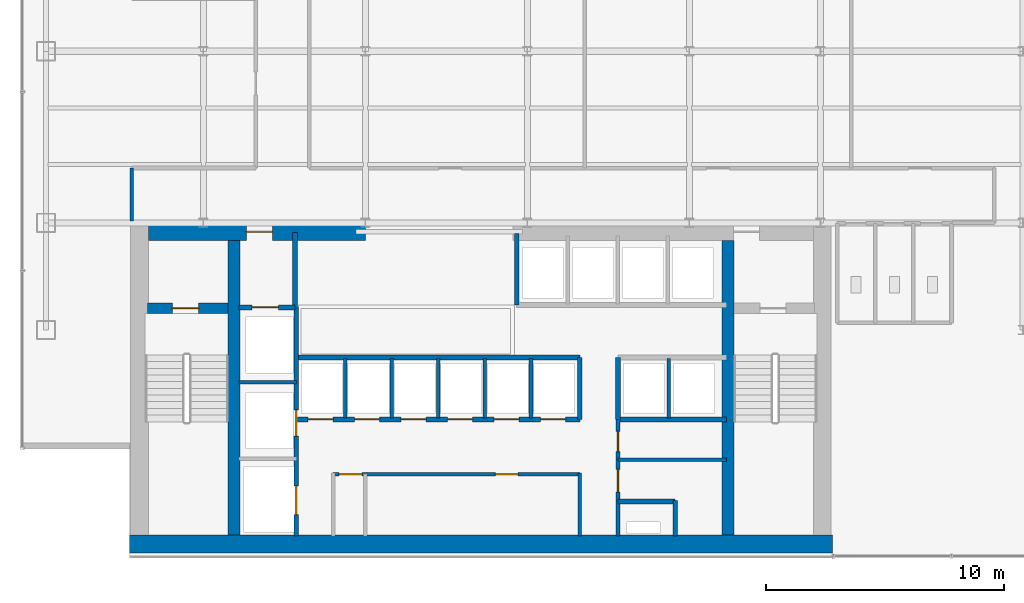
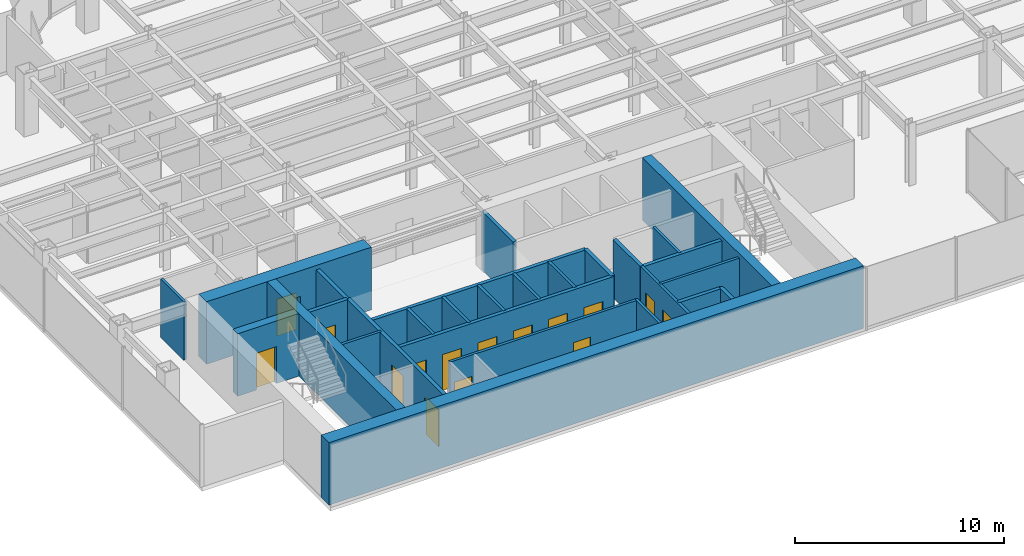
# One storey, part 20 of 25: 28 walls, 15 doors, 15 openings.
"""IFC4 building model written with IfcOpenShell, lengths in metres."""

from ifc_helpers import new_model, si_unit, derived_unit, direction, frame, frame_2d, origin, place, context, subcontext, project, spatial, rectangle, extrude, source, transform, mapped, material, layer, layer_set, type_object, element, fill, save


model = new_model("IFC4")

# Units and contexts
model_context = context("Model", 3, precision=1e-05, world=origin(), true_north=direction((0.0, 1.0)))
body_context = subcontext(model_context, "Body", "Model", "MODEL_VIEW")
ifc_project = project(units=[si_unit("LENGTHUNIT", "METRE"), si_unit("AREAUNIT", "SQUARE_METRE"), si_unit("VOLUMEUNIT", "CUBIC_METRE"), si_unit("PLANEANGLEUNIT", "RADIAN"), si_unit("MASSUNIT", "GRAM", prefix="KILO"), derived_unit("THERMALTRANSMITTANCEUNIT", [(si_unit("POWERUNIT", "WATT"), 1), (si_unit("LENGTHUNIT", "METRE"), -2), (si_unit("THERMODYNAMICTEMPERATUREUNIT", "KELVIN"), -1)])], contexts=[model_context])

# Site, building, storey
site_placement = place(None, origin())
site = spatial("IfcSite", under=ifc_project, at=site_placement, CompositionType="ELEMENT")
building_placement = place(site_placement, origin())
building = spatial("IfcBuilding", under=site, at=building_placement, Name="Skarnbrae Concourse Arena and Tower", CompositionType="ELEMENT")
storey_placement = place(building_placement, frame((0.0, 0.0, 88.64990234375)))
storey = spatial("IfcBuildingStorey", under=building, at=storey_placement, Name="L21", CompositionType="ELEMENT", Elevation=88.64990234375)

# Wall, opening, door
ifc_material_1 = material(Name="Concrete 50 MPa (C50/60)", Category="concrete")
ifc_layer_1 = layer(ifc_material_1, 0.449951171875)
ifc_layer_set_1 = layer_set([ifc_layer_1], Name="Concrete 50 MPa (C50/60)")
wall_type_1 = type_object("IfcWallType", Name="WALL-CORE-450-C50", PredefinedType="SHEAR", material=ifc_layer_set_1)
shared_shape_1 = source(origin(), body_context, "Body", "SweptSolid", [
    extrude(rectangle(XDim=3.389892578125, YDim=0.449951171875, at=frame_2d((1.69482421875, 0.0))), origin(), (0.0, 0.0, 1.0), 3.650146484375),
])
wall_1_placement = place(storey_placement, frame((5.25, 10.419921875, 0.0), z_axis=(0.0, 0.0, 1.0), x_axis=(1.0, 0.0, 0.0)))
wall_1 = element("IfcWall", 1, at=wall_1_placement, inside=storey, type_object=wall_type_1, Name="L21 Rear core shear wall CW-ST1-N", PredefinedType="SHEAR", context=body_context, shape_type="MappedRepresentation", body=[
    mapped(shared_shape_1, transform((0.0, 0.0, 0.0))),
])
opening_1_placement = place(wall_1_placement, frame((1.050048828125, 0.0, 0.0)))
opening_1 = element("IfcOpeningElement", 2, at=opening_1_placement, cuts=wall_1, Name="Opening DT-03", PredefinedType="OPENING", context=body_context, shape_type="SweptSolid", body=[
    extrude(rectangle(XDim=1.10009765625, YDim=2.14990234375, at=frame_2d((0.550048828125, 1.074951171875))), frame((0.0, 0.23486328125, 0.0), z_axis=(0.0, -1.0, 0.0), x_axis=(1.0, 0.0, 0.0)), (0.0, 0.0, 1.0), 0.469970703125),
])
ifc_material_2 = material(Name="Steel CSA G40.21 350W", Category="steel")
door_type_1 = type_object("IfcDoorType", Name="DOOR-FIRE-1100-90M", OperationType="NOTDEFINED", PredefinedType="DOOR", material=ifc_material_2)
shared_shape_2 = source(origin(), body_context, "Body", "SweptSolid", [
    extrude(rectangle(XDim=1.10009765625, YDim=2.14990234375, at=frame_2d((0.550048828125, 1.074951171875))), frame((0.0, 0.02490234375, 0.0), z_axis=(0.0, -1.0, 0.0), x_axis=(1.0, 0.0, 0.0)), (0.0, 0.0, 1.0), 0.050048828125),
])
door_1_placement = place(opening_1_placement, frame((1.10009765625, 0.0, 0.0), z_axis=(0.0, 0.0, 1.0), x_axis=(-1.0, 0.0, 0.0)))
door_1 = element("IfcDoor", 3, at=door_1_placement, inside=storey, type_object=door_type_1, Name="D-0733 Stair ST-1 Door", OperationType="SINGLE_SWING_LEFT", OverallHeight=2.14990234375, OverallWidth=1.10009765625, PredefinedType="DOOR", context=body_context, shape_type="MappedRepresentation", body=[
    mapped(shared_shape_2, transform((0.0, 0.0, 0.0))),
])
fill(opening_1, door_1)

# Wall
ifc_material_3 = material(Name="Concrete 60 MPa (C60/75)", Category="concrete")
ifc_layer_2 = layer(ifc_material_3, 0.75)
ifc_layer_set_2 = layer_set([ifc_layer_2], Name="Concrete 60 MPa (C60/75)")
wall_type_2 = type_object("IfcWallType", Name="WALL-CORE-750-C60", PredefinedType="SHEAR", material=ifc_layer_set_2)
shared_shape_3 = source(origin(), body_context, "Body", "SweptSolid", [
    extrude(rectangle(XDim=29.5, YDim=0.75, at=frame_2d((14.75, 0.0))), origin(), (0.0, 0.0, 1.0), 3.650146484375),
])
wall_2_placement = place(storey_placement, frame((4.5, 0.52490234375, 0.0), z_axis=(0.0, 0.0, 1.0), x_axis=(1.0, 0.0, 0.0)))
element("IfcWall", 4, at=wall_2_placement, inside=storey, type_object=wall_type_2, Name="L21 Rear core shear wall CW-S", PredefinedType="SHEAR", context=body_context, shape_type="MappedRepresentation", body=[
    mapped(shared_shape_3, transform((0.0, 0.0, 0.0))),
])

# Wall, opening, door
shared_shape_4 = source(origin(), body_context, "Body", "SweptSolid", [
    extrude(rectangle(XDim=9.099853515625, YDim=0.75, at=frame_2d((4.5498046875, 0.0))), origin(), (0.0, 0.0, 1.0), 3.650146484375),
])
wall_3_placement = place(storey_placement, frame((5.300048828125, 13.625, 0.0), z_axis=(0.0, 0.0, 1.0), x_axis=(1.0, 0.0, 0.0)))
wall_3 = element("IfcWall", 5, at=wall_3_placement, inside=storey, type_object=wall_type_2, Name="L21 Rear core shear wall CW-NW", PredefinedType="SHEAR", context=body_context, shape_type="MappedRepresentation", body=[
    mapped(shared_shape_4, transform((0.0, 0.0, 0.0))),
])
opening_2_placement = place(wall_3_placement, frame((4.10009765625, 0.0, 0.0)))
opening_2 = element("IfcOpeningElement", 6, at=opening_2_placement, cuts=wall_3, Name="Opening DT-03", PredefinedType="OPENING", context=body_context, shape_type="SweptSolid", body=[
    extrude(rectangle(XDim=1.10009765625, YDim=2.14990234375, at=frame_2d((0.550048828125, 1.074951171875))), frame((0.0, 0.385009765625, 0.0), z_axis=(0.0, -1.0, 0.0), x_axis=(1.0, 0.0, 0.0)), (0.0, 0.0, 1.0), 0.77001953125),
])
door_2_placement = place(opening_2_placement, origin())
door_2 = element("IfcDoor", 7, at=door_2_placement, inside=storey, type_object=door_type_1, Name="D-0735 Firefighting Lobby Exit Door", OperationType="SINGLE_SWING_RIGHT", OverallHeight=2.14990234375, OverallWidth=1.10009765625, PredefinedType="DOOR", context=body_context, shape_type="MappedRepresentation", body=[
    mapped(shared_shape_2, transform((0.0, 0.0, 0.0))),
])
fill(opening_2, door_2)

# Walls
ifc_layer_3 = layer(ifc_material_3, 0.5)
ifc_layer_set_3 = layer_set([ifc_layer_3], Name="Concrete 60 MPa (C60/75)")
wall_type_3 = type_object("IfcWallType", Name="WALL-CORE-500-C60", PredefinedType="SHEAR", material=ifc_layer_set_3)
shared_shape_5 = source(origin(), body_context, "Body", "SweptSolid", [
    extrude(rectangle(XDim=12.35009765625, YDim=0.5, at=frame_2d((6.175048828125, 0.0))), origin(), (0.0, 0.0, 1.0), 3.650146484375),
])
for number, where, z_axis, x_axis, name in (
    (8, (8.889892578125, 0.89990234375, 0.0), (0.0, 0.0, 1.0), (0.0, 1.0, 0.0), "L21 Rear core shear wall CW-WEB-W"),
    (9, (29.610107421875, 0.89990234375, 0.0), (0.0, 0.0, 1.0), (0.0, 1.0, 0.0), "L21 Rear core shear wall CW-WEB-E"),
):
    element("IfcWall", number, at=place(storey_placement, frame(where, z_axis=z_axis, x_axis=x_axis)), inside=storey, type_object=wall_type_3, Name=name, PredefinedType="SHEAR", context=body_context, shape_type="MappedRepresentation", body=[
        mapped(shared_shape_5, transform((0.0, 0.0, 0.0))),
    ])
ifc_material_4 = material(Name="Gypsum board on cold-formed steel studs", Category="steel")
ifc_layer_4 = layer(ifc_material_4, 0.199951171875)
ifc_layer_set_4 = layer_set([ifc_layer_4], Name="Gypsum board on cold-formed steel studs")
wall_type_4 = type_object("IfcWallType", Name="WALL-PART-200-2HR", PredefinedType="PARTITIONING", material=ifc_layer_set_4)
shared_shape_6 = source(origin(), body_context, "Body", "SweptSolid", [
    extrude(rectangle(XDim=3.18017578125, YDim=0.199951171875, at=frame_2d((1.590087890625, 0.0))), origin(), (0.0, 0.0, 1.0), 3.400146484375),
])
wall_4_placement = place(storey_placement, frame((11.449951171875, 10.419921875, 0.0), z_axis=(0.0, 0.0, 1.0), x_axis=(0.0, 1.0, 0.0)))
element("IfcWall", 10, at=wall_4_placement, inside=storey, type_object=wall_type_4, Name="L21 Interior partition wall W-L21-FFL-E", PredefinedType="PARTITIONING", context=body_context, shape_type="MappedRepresentation", body=[
    mapped(shared_shape_6, transform((0.0, 0.0, 0.0))),
])

# Wall, opening, door
shared_shape_7 = source(origin(), body_context, "Body", "SweptSolid", [
    extrude(rectangle(XDim=2.349853515625, YDim=0.199951171875, at=frame_2d((1.1748046875, 0.0))), origin(), (0.0, 0.0, 1.0), 3.400146484375),
])
wall_5_placement = place(storey_placement, frame((9.10009765625, 10.449951171875, 0.0), z_axis=(0.0, 0.0, 1.0), x_axis=(1.0, 0.0, 0.0)))
wall_5 = element("IfcWall", 11, at=wall_5_placement, inside=storey, type_object=wall_type_4, Name="L21 Interior partition wall W-L21-FL1-N", PredefinedType="PARTITIONING", context=body_context, shape_type="MappedRepresentation", body=[
    mapped(shared_shape_7, transform((0.0, 0.0, 0.0))),
])
opening_3_placement = place(wall_5_placement, frame((0.550048828125, 0.0, 0.0)))
opening_3 = element("IfcOpeningElement", 12, at=opening_3_placement, cuts=wall_5, Name="Opening LD-01", PredefinedType="OPENING", context=body_context, shape_type="SweptSolid", body=[
    extrude(rectangle(XDim=1.10009765625, YDim=2.14990234375, at=frame_2d((0.550048828125, 1.074951171875))), frame((0.0, 0.10986328125, 0.0), z_axis=(0.0, -1.0, 0.0), x_axis=(1.0, 0.0, 0.0)), (0.0, 0.0, 1.0), 0.219970703125),
])
door_type_2 = type_object("IfcDoorType", Name="DOOR-LIFT-SLIDE-1100", OperationType="SLIDING_TO_LEFT", PredefinedType="DOOR", material=ifc_material_2)
door_3_placement = place(opening_3_placement, origin())
door_3 = element("IfcDoor", 13, at=door_3_placement, inside=storey, type_object=door_type_2, Name="D-0737 Firefighting Lift Landing Door FL-01", OperationType="SLIDING_TO_LEFT", OverallHeight=2.14990234375, OverallWidth=1.10009765625, PredefinedType="DOOR", context=body_context, shape_type="MappedRepresentation", body=[
    mapped(shared_shape_2, transform((0.0, 0.0, 0.0))),
])
fill(opening_3, door_3)

# Wall, openings, doors
shared_shape_8 = source(origin(), body_context, "Body", "SweptSolid", [
    extrude(rectangle(XDim=9.599853515625, YDim=0.199951171875, at=frame_2d((4.7998046875, 0.0))), origin(), (0.0, 0.0, 1.0), 3.400146484375),
])
wall_6_placement = place(storey_placement, frame((11.5, 0.85009765625, 0.0), z_axis=(0.0, 0.0, 1.0), x_axis=(0.0, 1.0, 0.0)))
wall_6 = element("IfcWall", 14, at=wall_6_placement, inside=storey, type_object=wall_type_4, Name="L21 Interior partition wall W-L21-FL-E", PredefinedType="PARTITIONING", context=body_context, shape_type="MappedRepresentation", body=[
    mapped(shared_shape_8, transform((0.0, 0.0, 0.0))),
])
opening_4_placement = place(wall_6_placement, frame((4.199951171875, 0.0, 0.0)))
opening_4 = element("IfcOpeningElement", 15, at=opening_4_placement, cuts=wall_6, Name="Opening LD-01", PredefinedType="OPENING", context=body_context, shape_type="SweptSolid", body=[
    extrude(rectangle(XDim=1.10009765625, YDim=2.14990234375, at=frame_2d((0.550048828125, 1.074951171875))), frame((0.0, 0.10986328125, 0.0), z_axis=(0.0, -1.0, 0.0), x_axis=(1.0, 0.0, 0.0)), (0.0, 0.0, 1.0), 0.219970703125),
])
opening_5_placement = place(wall_6_placement, frame((0.89990234375, 0.0, 0.0)))
opening_5 = element("IfcOpeningElement", 16, at=opening_5_placement, cuts=wall_6, Name="Opening LD-02", PredefinedType="OPENING", context=body_context, shape_type="SweptSolid", body=[
    extrude(rectangle(XDim=1.199951171875, YDim=2.14990234375, at=frame_2d((0.60009765625, 1.074951171875))), frame((0.0, 0.10986328125, 0.0), z_axis=(0.0, -1.0, 0.0), x_axis=(1.0, 0.0, 0.0)), (0.0, 0.0, 1.0), 0.219970703125),
])
door_4_placement = place(opening_4_placement, frame((1.10009765625, 0.0, 0.0), z_axis=(0.0, 0.0, 1.0), x_axis=(-1.0, 0.0, 0.0)))
door_4 = element("IfcDoor", 17, at=door_4_placement, inside=storey, type_object=door_type_2, Name="D-0738 Firefighting Lift Landing Door FL-02", OperationType="SLIDING_TO_LEFT", OverallHeight=2.14990234375, OverallWidth=1.10009765625, PredefinedType="DOOR", context=body_context, shape_type="MappedRepresentation", body=[
    mapped(shared_shape_2, transform((0.0, 0.0, 0.0))),
])
fill(opening_4, door_4)
door_type_3 = type_object("IfcDoorType", Name="DOOR-LIFT-SLIDE-1200", OperationType="SLIDING_TO_LEFT", PredefinedType="DOOR", material=ifc_material_2)
shared_shape_9 = source(origin(), body_context, "Body", "SweptSolid", [
    extrude(rectangle(XDim=1.199951171875, YDim=2.14990234375, at=frame_2d((0.60009765625, 1.074951171875))), frame((0.0, 0.02490234375, 0.0), z_axis=(0.0, -1.0, 0.0), x_axis=(1.0, 0.0, 0.0)), (0.0, 0.0, 1.0), 0.050048828125),
])
door_5_placement = place(opening_5_placement, frame((1.199951171875, 0.0, 0.0), z_axis=(0.0, 0.0, 1.0), x_axis=(-1.0, 0.0, 0.0)))
door_5 = element("IfcDoor", 18, at=door_5_placement, inside=storey, type_object=door_type_3, Name="D-0739 Service Lift Landing Door SV-01", OperationType="SLIDING_TO_LEFT", OverallHeight=2.14990234375, OverallWidth=1.199951171875, PredefinedType="DOOR", context=body_context, shape_type="MappedRepresentation", body=[
    mapped(shared_shape_9, transform((0.0, 0.0, 0.0))),
])
fill(opening_5, door_5)

# Wall
ifc_layer_5 = layer(ifc_material_4, 0.14990234375)
ifc_layer_set_5 = layer_set([ifc_layer_5], Name="Gypsum board on cold-formed steel studs")
wall_type_5 = type_object("IfcWallType", Name="WALL-PART-150", PredefinedType="PARTITIONING", material=ifc_layer_set_5)
shared_shape_10 = source(origin(), body_context, "Body", "SweptSolid", [
    extrude(rectangle(XDim=2.39990234375, YDim=0.14990234375, at=frame_2d((1.199951171875, 0.0))), origin(), (0.0, 0.0, 1.0), 3.400146484375),
])
wall_7_placement = place(storey_placement, frame((9.10009765625, 7.300048828125, 0.0), z_axis=(0.0, 0.0, 1.0), x_axis=(1.0, 0.0, 0.0)))
element("IfcWall", 19, at=wall_7_placement, inside=storey, type_object=wall_type_5, Name="L21 Interior partition wall W-L21-FL-D2", PredefinedType="PARTITIONING", context=body_context, shape_type="MappedRepresentation", body=[
    mapped(shared_shape_10, transform((0.0, 0.0, 0.0))),
])

# Wall, openings, doors
shared_shape_11 = source(origin(), body_context, "Body", "SweptSolid", [
    extrude(rectangle(XDim=11.849853515625, YDim=0.199951171875, at=frame_2d((5.9248046875, 0.0))), origin(), (0.0, 0.0, 1.0), 3.400146484375),
])
wall_8_placement = place(storey_placement, frame((11.550048828125, 5.75, 0.0), z_axis=(0.0, 0.0, 1.0), x_axis=(1.0, 0.0, 0.0)))
wall_8 = element("IfcWall", 20, at=wall_8_placement, inside=storey, type_object=wall_type_4, Name="L21 Interior partition wall W-L21-B2-S", PredefinedType="PARTITIONING", context=body_context, shape_type="MappedRepresentation", body=[
    mapped(shared_shape_11, transform((0.0, 0.0, 0.0))),
])
opening_6_placement = place(wall_8_placement, frame((0.449951171875, 0.0, 0.0)))
opening_6 = element("IfcOpeningElement", 21, at=opening_6_placement, cuts=wall_8, Name="Opening LD-03", PredefinedType="OPENING", context=body_context, shape_type="SweptSolid", body=[
    extrude(rectangle(XDim=1.050048828125, YDim=2.14990234375, at=frame_2d((0.52490234375, 1.074951171875))), frame((0.0, 0.10986328125, 0.0), z_axis=(0.0, -1.0, 0.0), x_axis=(1.0, 0.0, 0.0)), (0.0, 0.0, 1.0), 0.219970703125),
])
opening_7_placement = place(wall_8_placement, frame((2.39990234375, 0.0, 0.0)))
opening_7 = element("IfcOpeningElement", 22, at=opening_7_placement, cuts=wall_8, Name="Opening LD-03", PredefinedType="OPENING", context=body_context, shape_type="SweptSolid", body=[
    extrude(rectangle(XDim=1.050048828125, YDim=2.14990234375, at=frame_2d((0.52490234375, 1.074951171875))), frame((0.0, 0.10986328125, 0.0), z_axis=(0.0, -1.0, 0.0), x_axis=(1.0, 0.0, 0.0)), (0.0, 0.0, 1.0), 0.219970703125),
])
opening_8_placement = place(wall_8_placement, frame((4.35009765625, 0.0, 0.0)))
opening_8 = element("IfcOpeningElement", 23, at=opening_8_placement, cuts=wall_8, Name="Opening LD-03", PredefinedType="OPENING", context=body_context, shape_type="SweptSolid", body=[
    extrude(rectangle(XDim=1.050048828125, YDim=2.14990234375, at=frame_2d((0.52490234375, 1.074951171875))), frame((0.0, 0.10986328125, 0.0), z_axis=(0.0, -1.0, 0.0), x_axis=(1.0, 0.0, 0.0)), (0.0, 0.0, 1.0), 0.219970703125),
])
opening_9_placement = place(wall_8_placement, frame((6.300048828125, 0.0, 0.0)))
opening_9 = element("IfcOpeningElement", 24, at=opening_9_placement, cuts=wall_8, Name="Opening LD-03", PredefinedType="OPENING", context=body_context, shape_type="SweptSolid", body=[
    extrude(rectangle(XDim=1.050048828125, YDim=2.14990234375, at=frame_2d((0.52490234375, 1.074951171875))), frame((0.0, 0.10986328125, 0.0), z_axis=(0.0, -1.0, 0.0), x_axis=(1.0, 0.0, 0.0)), (0.0, 0.0, 1.0), 0.219970703125),
])
opening_10_placement = place(wall_8_placement, frame((8.25, 0.0, 0.0)))
opening_10 = element("IfcOpeningElement", 25, at=opening_10_placement, cuts=wall_8, Name="Opening LD-03", PredefinedType="OPENING", context=body_context, shape_type="SweptSolid", body=[
    extrude(rectangle(XDim=1.050048828125, YDim=2.14990234375, at=frame_2d((0.52490234375, 1.074951171875))), frame((0.0, 0.10986328125, 0.0), z_axis=(0.0, -1.0, 0.0), x_axis=(1.0, 0.0, 0.0)), (0.0, 0.0, 1.0), 0.219970703125),
])
opening_11_placement = place(wall_8_placement, frame((10.199951171875, 0.0, 0.0)))
opening_11 = element("IfcOpeningElement", 26, at=opening_11_placement, cuts=wall_8, Name="Opening LD-03", PredefinedType="OPENING", context=body_context, shape_type="SweptSolid", body=[
    extrude(rectangle(XDim=1.050048828125, YDim=2.14990234375, at=frame_2d((0.52490234375, 1.074951171875))), frame((0.0, 0.10986328125, 0.0), z_axis=(0.0, -1.0, 0.0), x_axis=(1.0, 0.0, 0.0)), (0.0, 0.0, 1.0), 0.219970703125),
])
ifc_material_5 = material(Name="Bronze anodised aluminium 6063-T6", Category="aluminium")
door_type_4 = type_object("IfcDoorType", Name="DOOR-LIFT-SLIDE-1050", OperationType="SLIDING_TO_LEFT", PredefinedType="DOOR", material=ifc_material_5)
shared_shape_12 = source(origin(), body_context, "Body", "SweptSolid", [
    extrude(rectangle(XDim=1.050048828125, YDim=2.14990234375, at=frame_2d((0.52490234375, 1.074951171875))), frame((0.0, 0.02490234375, 0.0), z_axis=(0.0, -1.0, 0.0), x_axis=(1.0, 0.0, 0.0)), (0.0, 0.0, 1.0), 0.050048828125),
])
door_6_placement = place(opening_6_placement, frame((1.050048828125, 0.0, 0.0), z_axis=(0.0, 0.0, 1.0), x_axis=(-1.0, 0.0, 0.0)))
door_6 = element("IfcDoor", 27, at=door_6_placement, inside=storey, type_object=door_type_4, Name="D-0742 Passenger Lift Landing Door PL-2A", OperationType="SLIDING_TO_LEFT", OverallHeight=2.14990234375, OverallWidth=1.050048828125, PredefinedType="DOOR", context=body_context, shape_type="MappedRepresentation", body=[
    mapped(shared_shape_12, transform((0.0, 0.0, 0.0))),
])
fill(opening_6, door_6)
door_7_placement = place(opening_7_placement, frame((1.050048828125, 0.0, 0.0), z_axis=(0.0, 0.0, 1.0), x_axis=(-1.0, 0.0, 0.0)))
door_7 = element("IfcDoor", 28, at=door_7_placement, inside=storey, type_object=door_type_4, Name="D-0743 Passenger Lift Landing Door PL-2B", OperationType="SLIDING_TO_LEFT", OverallHeight=2.14990234375, OverallWidth=1.050048828125, PredefinedType="DOOR", context=body_context, shape_type="MappedRepresentation", body=[
    mapped(shared_shape_12, transform((0.0, 0.0, 0.0))),
])
fill(opening_7, door_7)
door_8_placement = place(opening_8_placement, frame((1.050048828125, 0.0, 0.0), z_axis=(0.0, 0.0, 1.0), x_axis=(-1.0, 0.0, 0.0)))
door_8 = element("IfcDoor", 29, at=door_8_placement, inside=storey, type_object=door_type_4, Name="D-0744 Passenger Lift Landing Door PL-2C", OperationType="SLIDING_TO_LEFT", OverallHeight=2.14990234375, OverallWidth=1.050048828125, PredefinedType="DOOR", context=body_context, shape_type="MappedRepresentation", body=[
    mapped(shared_shape_12, transform((0.0, 0.0, 0.0))),
])
fill(opening_8, door_8)
door_9_placement = place(opening_9_placement, frame((1.050048828125, 0.0, 0.0), z_axis=(0.0, 0.0, 1.0), x_axis=(-1.0, 0.0, 0.0)))
door_9 = element("IfcDoor", 30, at=door_9_placement, inside=storey, type_object=door_type_4, Name="D-0745 Passenger Lift Landing Door PL-2D", OperationType="SLIDING_TO_LEFT", OverallHeight=2.14990234375, OverallWidth=1.050048828125, PredefinedType="DOOR", context=body_context, shape_type="MappedRepresentation", body=[
    mapped(shared_shape_12, transform((0.0, 0.0, 0.0))),
])
fill(opening_9, door_9)
door_10_placement = place(opening_10_placement, frame((1.050048828125, 0.0, 0.0), z_axis=(0.0, 0.0, 1.0), x_axis=(-1.0, 0.0, 0.0)))
door_10 = element("IfcDoor", 31, at=door_10_placement, inside=storey, type_object=door_type_4, Name="D-0746 Passenger Lift Landing Door PL-2E", OperationType="SLIDING_TO_LEFT", OverallHeight=2.14990234375, OverallWidth=1.050048828125, PredefinedType="DOOR", context=body_context, shape_type="MappedRepresentation", body=[
    mapped(shared_shape_12, transform((0.0, 0.0, 0.0))),
])
fill(opening_10, door_10)
door_11_placement = place(opening_11_placement, frame((1.050048828125, 0.0, 0.0), z_axis=(0.0, 0.0, 1.0), x_axis=(-1.0, 0.0, 0.0)))
door_11 = element("IfcDoor", 32, at=door_11_placement, inside=storey, type_object=door_type_4, Name="D-0747 Passenger Lift Landing Door PL-2F", OperationType="SLIDING_TO_LEFT", OverallHeight=2.14990234375, OverallWidth=1.050048828125, PredefinedType="DOOR", context=body_context, shape_type="MappedRepresentation", body=[
    mapped(shared_shape_12, transform((0.0, 0.0, 0.0))),
])
fill(opening_11, door_11)

# Walls
wall_9_placement = place(storey_placement, frame((11.550048828125, 8.35009765625, 0.0), z_axis=(0.0, 0.0, 1.0), x_axis=(1.0, 0.0, 0.0)))
element("IfcWall", 33, at=wall_9_placement, inside=storey, type_object=wall_type_4, Name="L21 Interior partition wall W-L21-B2-N", PredefinedType="PARTITIONING", context=body_context, shape_type="MappedRepresentation", body=[
    mapped(shared_shape_11, transform((0.0, 0.0, 0.0))),
])
shared_shape_13 = source(origin(), body_context, "Body", "SweptSolid", [
    extrude(rectangle(XDim=2.60009765625, YDim=0.199951171875, at=frame_2d((1.300048828125, 0.0))), origin(), (0.0, 0.0, 1.0), 3.400146484375),
])
for number, where, z_axis, x_axis, name in (
    (34, (23.39990234375, 5.75, 0.0), (0.0, 0.0, 1.0), (0.0, 1.0, 0.0), "L21 Interior partition wall W-L21-B2-E"),
    (35, (25.0, 5.75, 0.0), (0.0, 0.0, 1.0), (0.0, 1.0, 0.0), "L21 Interior partition wall W-L21-B3S-W"),
):
    element("IfcWall", number, at=place(storey_placement, frame(where, z_axis=z_axis, x_axis=x_axis)), inside=storey, type_object=wall_type_4, Name=name, PredefinedType="PARTITIONING", context=body_context, shape_type="MappedRepresentation", body=[
        mapped(shared_shape_13, transform((0.0, 0.0, 0.0))),
    ])
shared_shape_14 = source(origin(), body_context, "Body", "SweptSolid", [
    extrude(rectangle(XDim=2.5, YDim=0.14990234375, at=frame_2d((1.25, 0.0))), origin(), (0.0, 0.0, 1.0), 3.400146484375),
])
for number, where, z_axis, x_axis, name in (
    (36, (13.550048828125, 5.800048828125, 0.0), (0.0, 0.0, 1.0), (0.0, 1.0, 0.0), "L21 Interior partition wall W-L21-B2-P1"),
    (37, (15.5, 5.800048828125, 0.0), (0.0, 0.0, 1.0), (0.0, 1.0, 0.0), "L21 Interior partition wall W-L21-B2-P2"),
    (38, (17.449951171875, 5.800048828125, 0.0), (0.0, 0.0, 1.0), (0.0, 1.0, 0.0), "L21 Interior partition wall W-L21-B2-P3"),
    (39, (19.39990234375, 5.800048828125, 0.0), (0.0, 0.0, 1.0), (0.0, 1.0, 0.0), "L21 Interior partition wall W-L21-B2-P4"),
    (40, (21.35009765625, 5.800048828125, 0.0), (0.0, 0.0, 1.0), (0.0, 1.0, 0.0), "L21 Interior partition wall W-L21-B2-P5"),
    (41, (27.139892578125, 5.800048828125, 0.0), (0.0, 0.0, 1.0), (0.0, 1.0, 0.0), "L21 Interior partition wall W-L21-B3S-P1"),
):
    element("IfcWall", number, at=place(storey_placement, frame(where, z_axis=z_axis, x_axis=x_axis)), inside=storey, type_object=wall_type_5, Name=name, PredefinedType="PARTITIONING", context=body_context, shape_type="MappedRepresentation", body=[
        mapped(shared_shape_14, transform((0.0, 0.0, 0.0))),
    ])
shared_shape_15 = source(origin(), body_context, "Body", "SweptSolid", [
    extrude(rectangle(XDim=3.0, YDim=0.199951171875, at=frame_2d((1.5, 0.0))), origin(), (0.0, 0.0, 1.0), 3.400146484375),
])
wall_10_placement = place(storey_placement, frame((20.75, 10.550048828125, 0.0), z_axis=(0.0, 0.0, 1.0), x_axis=(0.0, 1.0, 0.0)))
element("IfcWall", 42, at=wall_10_placement, inside=storey, type_object=wall_type_4, Name="L21 Interior partition wall W-L21-B3N-W", PredefinedType="PARTITIONING", context=body_context, shape_type="MappedRepresentation", body=[
    mapped(shared_shape_15, transform((0.0, 0.0, 0.0))),
])
shared_shape_16 = source(origin(), body_context, "Body", "SweptSolid", [
    extrude(rectangle(XDim=4.550048828125, YDim=0.199951171875, at=frame_2d((2.27490234375, 0.0))), origin(), (0.0, 0.0, 1.0), 3.400146484375),
])
wall_11_placement = place(storey_placement, frame((25.0, 5.75, 0.0), z_axis=(0.0, 0.0, 1.0), x_axis=(1.0, 0.0, 0.0)))
element("IfcWall", 43, at=wall_11_placement, inside=storey, type_object=wall_type_4, Name="L21 Interior partition wall W-L21-B3S-S", PredefinedType="PARTITIONING", context=body_context, shape_type="MappedRepresentation", body=[
    mapped(shared_shape_16, transform((0.0, 0.0, 0.0))),
])

# Wall, openings, doors
ifc_layer_6 = layer(ifc_material_4, 0.14990234375)
ifc_layer_set_6 = layer_set([ifc_layer_6], Name="Gypsum board on cold-formed steel studs")
wall_type_6 = type_object("IfcWallType", Name="WALL-PART-150-1HR", PredefinedType="PARTITIONING", material=ifc_layer_set_6)
shared_shape_17 = source(origin(), body_context, "Body", "SweptSolid", [
    extrude(rectangle(XDim=4.89990234375, YDim=0.14990234375, at=frame_2d((2.449951171875, 0.0))), origin(), (0.0, 0.0, 1.0), 3.400146484375),
])
wall_12_placement = place(storey_placement, frame((25.0, 0.85009765625, 0.0), z_axis=(0.0, 0.0, 1.0), x_axis=(0.0, 1.0, 0.0)))
wall_12 = element("IfcWall", 44, at=wall_12_placement, inside=storey, type_object=wall_type_6, Name="L21 Interior partition wall W-L21-CSV-W", PredefinedType="PARTITIONING", context=body_context, shape_type="MappedRepresentation", body=[
    mapped(shared_shape_17, transform((0.0, 0.0, 0.0))),
])
opening_12_placement = place(wall_12_placement, frame((1.85009765625, 0.0, 0.0)))
opening_12 = element("IfcOpeningElement", 45, at=opening_12_placement, cuts=wall_12, Name="Opening DT-04", PredefinedType="OPENING", context=body_context, shape_type="SweptSolid", body=[
    extrude(rectangle(XDim=0.949951171875, YDim=2.14990234375, at=frame_2d((0.47509765625, 1.074951171875))), frame((0.0, 0.0849609375, 0.0), z_axis=(0.0, -1.0, 0.0), x_axis=(1.0, 0.0, 0.0)), (0.0, 0.0, 1.0), 0.169921875),
])
opening_13_placement = place(wall_12_placement, frame((3.550048828125, 0.0, 0.0)))
opening_13 = element("IfcOpeningElement", 46, at=opening_13_placement, cuts=wall_12, Name="Opening DT-08", PredefinedType="OPENING", context=body_context, shape_type="SweptSolid", body=[
    extrude(rectangle(XDim=0.85009765625, YDim=2.14990234375, at=frame_2d((0.425048828125, 1.074951171875))), frame((0.0, 0.0849609375, 0.0), z_axis=(0.0, -1.0, 0.0), x_axis=(1.0, 0.0, 0.0)), (0.0, 0.0, 1.0), 0.169921875),
])
door_type_5 = type_object("IfcDoorType", Name="DOOR-INT-950-45M", OperationType="NOTDEFINED", PredefinedType="DOOR", material=ifc_material_2)
shared_shape_18 = source(origin(), body_context, "Body", "SweptSolid", [
    extrude(rectangle(XDim=0.949951171875, YDim=2.14990234375, at=frame_2d((0.47509765625, 1.074951171875))), frame((0.0, 0.02490234375, 0.0), z_axis=(0.0, -1.0, 0.0), x_axis=(1.0, 0.0, 0.0)), (0.0, 0.0, 1.0), 0.050048828125),
])
door_12_placement = place(opening_12_placement, origin())
door_12 = element("IfcDoor", 47, at=door_12_placement, inside=storey, type_object=door_type_5, Name="D-0748 Core Staff WC Door", OperationType="SINGLE_SWING_RIGHT", OverallHeight=2.14990234375, OverallWidth=0.949951171875, PredefinedType="DOOR", context=body_context, shape_type="MappedRepresentation", body=[
    mapped(shared_shape_18, transform((0.0, 0.0, 0.0))),
])
fill(opening_12, door_12)
door_type_6 = type_object("IfcDoorType", Name="DOOR-INT-850-45M", OperationType="NOTDEFINED", PredefinedType="DOOR", material=ifc_material_2)
shared_shape_19 = source(origin(), body_context, "Body", "SweptSolid", [
    extrude(rectangle(XDim=0.85009765625, YDim=2.14990234375, at=frame_2d((0.425048828125, 1.074951171875))), frame((0.0, 0.02490234375, 0.0), z_axis=(0.0, -1.0, 0.0), x_axis=(1.0, 0.0, 0.0)), (0.0, 0.0, 1.0), 0.050048828125),
])
door_13_placement = place(opening_13_placement, origin())
door_13 = element("IfcDoor", 48, at=door_13_placement, inside=storey, type_object=door_type_6, Name="D-0749 IT Patch Room Door", OperationType="SINGLE_SWING_LEFT", OverallHeight=2.14990234375, OverallWidth=0.85009765625, PredefinedType="DOOR", context=body_context, shape_type="MappedRepresentation", body=[
    mapped(shared_shape_19, transform((0.0, 0.0, 0.0))),
])
fill(opening_13, door_13)

# Walls
shared_shape_20 = source(origin(), body_context, "Body", "SweptSolid", [
    extrude(rectangle(XDim=2.39990234375, YDim=0.199951171875, at=frame_2d((1.199951171875, 0.0))), origin(), (0.0, 0.0, 1.0), 3.400146484375),
])
wall_13_placement = place(storey_placement, frame((25.0, 2.300048828125, 0.0), z_axis=(0.0, 0.0, 1.0), x_axis=(1.0, 0.0, 0.0)))
element("IfcWall", 49, at=wall_13_placement, inside=storey, type_object=wall_type_4, Name="L21 Interior partition wall W-L21-MEP-N", PredefinedType="PARTITIONING", context=body_context, shape_type="MappedRepresentation", body=[
    mapped(shared_shape_20, transform((0.0, 0.0, 0.0))),
])
shared_shape_21 = source(origin(), body_context, "Body", "SweptSolid", [
    extrude(rectangle(XDim=1.5, YDim=0.199951171875, at=frame_2d((0.75, 0.0))), origin(), (0.0, 0.0, 1.0), 3.400146484375),
])
wall_14_placement = place(storey_placement, frame((27.39990234375, 0.85009765625, 0.0), z_axis=(0.0, 0.0, 1.0), x_axis=(0.0, 1.0, 0.0)))
element("IfcWall", 50, at=wall_14_placement, inside=storey, type_object=wall_type_4, Name="L21 Interior partition wall W-L21-MEP-E", PredefinedType="PARTITIONING", context=body_context, shape_type="MappedRepresentation", body=[
    mapped(shared_shape_21, transform((0.0, 0.0, 0.0))),
])
shared_shape_22 = source(origin(), body_context, "Body", "SweptSolid", [
    extrude(rectangle(XDim=4.550048828125, YDim=0.14990234375, at=frame_2d((2.27490234375, 0.0))), origin(), (0.0, 0.0, 1.0), 3.400146484375),
])
wall_15_placement = place(storey_placement, frame((25.0, 4.050048828125, 0.0), z_axis=(0.0, 0.0, 1.0), x_axis=(1.0, 0.0, 0.0)))
element("IfcWall", 51, at=wall_15_placement, inside=storey, type_object=wall_type_5, Name="L21 Interior partition wall W-L21-CSV-H2", PredefinedType="PARTITIONING", context=body_context, shape_type="MappedRepresentation", body=[
    mapped(shared_shape_22, transform((0.0, 0.0, 0.0))),
])
shared_shape_23 = source(origin(), body_context, "Body", "SweptSolid", [
    extrude(rectangle(XDim=2.64990234375, YDim=0.14990234375, at=frame_2d((1.324951171875, 0.0))), origin(), (0.0, 0.0, 1.0), 3.400146484375),
])
wall_16_placement = place(storey_placement, frame((23.39990234375, 0.85009765625, 0.0), z_axis=(0.0, 0.0, 1.0), x_axis=(0.0, 1.0, 0.0)))
element("IfcWall", 52, at=wall_16_placement, inside=storey, type_object=wall_type_6, Name="L21 Interior partition wall W-L21-B1M-E", PredefinedType="PARTITIONING", context=body_context, shape_type="MappedRepresentation", body=[
    mapped(shared_shape_23, transform((0.0, 0.0, 0.0))),
])

# Wall, openings, doors
shared_shape_24 = source(origin(), body_context, "Body", "SweptSolid", [
    extrude(rectangle(XDim=10.349853515625, YDim=0.14990234375, at=frame_2d((5.1748046875, 0.0))), origin(), (0.0, 0.0, 1.0), 3.400146484375),
])
wall_17_placement = place(storey_placement, frame((13.050048828125, 3.449951171875, 0.0), z_axis=(0.0, 0.0, 1.0), x_axis=(1.0, 0.0, 0.0)))
wall_17 = element("IfcWall", 53, at=wall_17_placement, inside=storey, type_object=wall_type_6, Name="L21 Interior partition wall W-L21-B1M-N", PredefinedType="PARTITIONING", context=body_context, shape_type="MappedRepresentation", body=[
    mapped(shared_shape_24, transform((0.0, 0.0, 0.0))),
])
opening_14_placement = place(wall_17_placement, frame((0.25, 0.0, 0.0)))
opening_14 = element("IfcOpeningElement", 54, at=opening_14_placement, cuts=wall_17, Name="Opening DT-04", PredefinedType="OPENING", context=body_context, shape_type="SweptSolid", body=[
    extrude(rectangle(XDim=0.949951171875, YDim=2.14990234375, at=frame_2d((0.47509765625, 1.074951171875))), frame((0.0, 0.0849609375, 0.0), z_axis=(0.0, -1.0, 0.0), x_axis=(1.0, 0.0, 0.0)), (0.0, 0.0, 1.0), 0.169921875),
])
opening_15_placement = place(wall_17_placement, frame((6.800048828125, 0.0, 0.0)))
opening_15 = element("IfcOpeningElement", 55, at=opening_15_placement, cuts=wall_17, Name="Opening DT-04", PredefinedType="OPENING", context=body_context, shape_type="SweptSolid", body=[
    extrude(rectangle(XDim=0.949951171875, YDim=2.14990234375, at=frame_2d((0.47509765625, 1.074951171875))), frame((0.0, 0.0849609375, 0.0), z_axis=(0.0, -1.0, 0.0), x_axis=(1.0, 0.0, 0.0)), (0.0, 0.0, 1.0), 0.169921875),
])
door_14_placement = place(opening_14_placement, origin())
door_14 = element("IfcDoor", 56, at=door_14_placement, inside=storey, type_object=door_type_5, Name="D-0740 First Aid Room Door", OperationType="SINGLE_SWING_LEFT", OverallHeight=2.14990234375, OverallWidth=0.949951171875, PredefinedType="DOOR", context=body_context, shape_type="MappedRepresentation", body=[
    mapped(shared_shape_18, transform((0.0, 0.0, 0.0))),
])
fill(opening_14, door_14)
door_15_placement = place(opening_15_placement, origin())
door_15 = element("IfcDoor", 57, at=door_15_placement, inside=storey, type_object=door_type_5, Name="D-0741 Archive Room Door", OperationType="SINGLE_SWING_RIGHT", OverallHeight=2.14990234375, OverallWidth=0.949951171875, PredefinedType="DOOR", context=body_context, shape_type="MappedRepresentation", body=[
    mapped(shared_shape_18, transform((0.0, 0.0, 0.0))),
])
fill(opening_15, door_15)

# Wall
shared_shape_25 = source(origin(), body_context, "Body", "SweptSolid", [
    extrude(rectangle(XDim=2.219970703125, YDim=0.14990234375, at=frame_2d((1.10986328125, 0.0))), origin(), (0.0, 0.0, 1.0), 3.400146484375),
])
wall_18_placement = place(storey_placement, frame((4.60009765625, 14.080078125, 0.0), z_axis=(0.0, 0.0, 1.0), x_axis=(0.0, 1.0, 0.0)))
element("IfcWall", 58, at=wall_18_placement, inside=storey, type_object=wall_type_6, Name="L21 Interior partition wall W-L21-COR-01", PredefinedType="PARTITIONING", context=body_context, shape_type="MappedRepresentation", body=[
    mapped(shared_shape_25, transform((0.0, 0.0, 0.0))),
])

save(model, "model.ifc")
